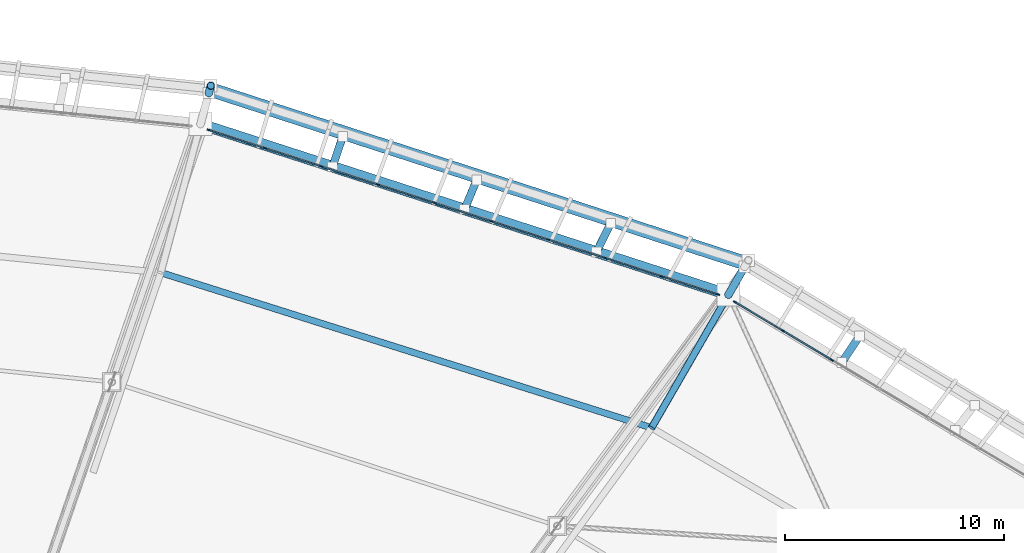
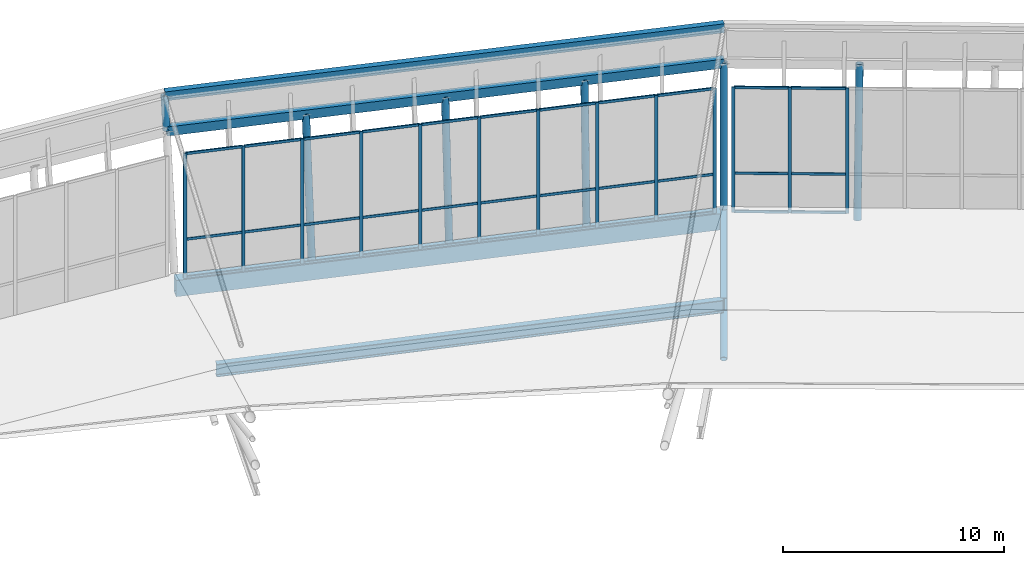
# One storey, part 76 of 115: 53 members, 5 beams, 2 elements without a shape of their own.
"""IFC4 building model written with IfcOpenShell, lengths in metres."""

from ifc_helpers import new_model, si_unit, direction, frame, origin, origin_2d, place, context, subcontext, project, spatial, rectangle, hollow_rectangle, hollow_circle, i_section, extrude, material, material_profile, profile_set, type_object, element, aggregate, save


model = new_model("IFC4")

# Units and contexts
model_context = context("Model", 3, precision=1e-05, world=origin(), true_north=direction((0.0, 1.0)))
body_context = subcontext(model_context, "Body", "Model", "MODEL_VIEW")
ifc_project = project(units=[si_unit("LENGTHUNIT", "METRE"), si_unit("AREAUNIT", "SQUARE_METRE"), si_unit("VOLUMEUNIT", "CUBIC_METRE"), si_unit("PLANEANGLEUNIT", "RADIAN"), si_unit("MASSUNIT", "GRAM", prefix="KILO")], contexts=[model_context])

# Site, building, storey
site_placement = place(None, origin())
site = spatial("IfcSite", under=ifc_project, at=site_placement, CompositionType="ELEMENT")
building_placement = place(site_placement, origin())
building = spatial("IfcBuilding", under=site, at=building_placement, Name="Zlatoyarsky Gate Stadium", CompositionType="ELEMENT")
storey_placement = place(building_placement, frame((0.0, 0.0, 31.800048828125)))
storey = spatial("IfcBuildingStorey", under=building, at=storey_placement, Name="RF", CompositionType="ELEMENT", Elevation=31.800048828125)

# Curtain wall, members
ifc_material_1 = material(Name="Thermally broken anodised aluminium curtain wall", Category="aluminium")
curtain_wall_type = type_object("IfcCurtainWallType", Name="UNITISED SKYBOX RING GLAZING L05", PredefinedType="USERDEFINED", material=ifc_material_1)
curtain_wall_1_placement = place(storey_placement, origin())
curtain_wall_1 = element("IfcCurtainWall", 1, at=curtain_wall_1_placement, inside=storey, type_object=curtain_wall_type, Name="Curtain wall CW-RF-03", ObjectType="UNITISED GLAZING", PredefinedType="USERDEFINED")
ifc_material_2 = material(Name="Anodised aluminium 6063-T6", Category="aluminium")
ifc_material_profile_1 = material_profile(ifc_material_2, rectangle(XDim=0.06494140625, YDim=0.159912109375, at=origin_2d()), Name="ALU 65X160")
ifc_profile_set_1 = profile_set([ifc_material_profile_1], Name="Anodised aluminium 6063-T6")
member_type_1 = type_object("IfcMemberType", Name="ALUMINIUM MULLION 65X160", PredefinedType="MULLION", material=ifc_profile_set_1)
member_1_placement = place(storey_placement, frame((165.731689453125, 144.587890625, 0.0), z_axis=(0.0, 0.0, 1.0), x_axis=(-0.513435995817, -0.858127891517, 0.0)))
member_1 = element("IfcMember", 2, at=member_1_placement, type_object=member_type_1, Name="CW-UG5 mullion 8", PredefinedType="MULLION", context=body_context, shape_type="SweptSolid", body=[
    extrude(rectangle(XDim=0.06494140625, YDim=0.159912109375, at=origin_2d()), origin(), (0.0, 0.0, 1.0), 6.89990234375),
])
member_2_placement = place(storey_placement, frame((163.509521484375, 145.91748046875, 0.0), z_axis=(0.0, 0.0, 1.0), x_axis=(-0.513435995817, -0.858127891517, 0.0)))
member_2 = element("IfcMember", 3, at=member_2_placement, type_object=member_type_1, Name="CW-UG5 mullion 9", PredefinedType="MULLION", context=body_context, shape_type="SweptSolid", body=[
    extrude(rectangle(XDim=0.06494140625, YDim=0.159912109375, at=origin_2d()), origin(), (0.0, 0.0, 1.0), 6.89990234375),
])
member_3_placement = place(storey_placement, frame((161.31494140625, 147.23046875, 0.0), z_axis=(0.0, 0.0, 1.0), x_axis=(-0.513435995817, -0.858127891517, 0.0)))
member_3 = element("IfcMember", 4, at=member_3_placement, type_object=member_type_1, Name="CW-UG5 mullion 10", PredefinedType="MULLION", context=body_context, shape_type="SweptSolid", body=[
    extrude(rectangle(XDim=0.06494140625, YDim=0.159912109375, at=origin_2d()), origin(), (0.0, 0.0, 1.0), 6.89990234375),
])

curtain_wall_2_placement = place(storey_placement, origin())
curtain_wall_2 = element("IfcCurtainWall", 5, at=curtain_wall_2_placement, inside=storey, type_object=curtain_wall_type, Name="Curtain wall CW-RF-04", ObjectType="UNITISED GLAZING", PredefinedType="USERDEFINED")
member_4_placement = place(storey_placement, frame((160.5322265625, 147.58544921875, 0.0), z_axis=(0.0, 0.0, 1.0), x_axis=(-0.307352182475, -0.951595836439, 0.0)))
member_4 = element("IfcMember", 6, at=member_4_placement, type_object=member_type_1, Name="CW-UG5 mullion 1", PredefinedType="MULLION", context=body_context, shape_type="SweptSolid", body=[
    extrude(rectangle(XDim=0.06494140625, YDim=0.159912109375, at=origin_2d()), origin(), (0.0, 0.0, 1.0), 6.89990234375),
])
member_5_placement = place(storey_placement, frame((157.970947265625, 148.412841796875, 0.0), z_axis=(0.0, 0.0, 1.0), x_axis=(-0.307352182475, -0.951595836439, 0.0)))
member_5 = element("IfcMember", 7, at=member_5_placement, type_object=member_type_1, Name="CW-UG5 mullion 2", PredefinedType="MULLION", context=body_context, shape_type="SweptSolid", body=[
    extrude(rectangle(XDim=0.06494140625, YDim=0.159912109375, at=origin_2d()), origin(), (0.0, 0.0, 1.0), 6.89990234375),
])
member_6_placement = place(storey_placement, frame((155.37890625, 149.25, 0.0), z_axis=(0.0, 0.0, 1.0), x_axis=(-0.307352182475, -0.951595836439, 0.0)))
member_6 = element("IfcMember", 8, at=member_6_placement, type_object=member_type_1, Name="CW-UG5 mullion 3", PredefinedType="MULLION", context=body_context, shape_type="SweptSolid", body=[
    extrude(rectangle(XDim=0.06494140625, YDim=0.159912109375, at=origin_2d()), origin(), (0.0, 0.0, 1.0), 6.89990234375),
])
member_7_placement = place(storey_placement, frame((152.78662109375, 150.087158203125, 0.0), z_axis=(0.0, 0.0, 1.0), x_axis=(-0.307352182475, -0.951595836439, 0.0)))
member_7 = element("IfcMember", 9, at=member_7_placement, type_object=member_type_1, Name="CW-UG5 mullion 4", PredefinedType="MULLION", context=body_context, shape_type="SweptSolid", body=[
    extrude(rectangle(XDim=0.06494140625, YDim=0.159912109375, at=origin_2d()), origin(), (0.0, 0.0, 1.0), 6.89990234375),
])
member_8_placement = place(storey_placement, frame((150.1943359375, 150.924560546875, 0.0), z_axis=(0.0, 0.0, 1.0), x_axis=(-0.307352182475, -0.951595836439, 0.0)))
member_8 = element("IfcMember", 10, at=member_8_placement, type_object=member_type_1, Name="CW-UG5 mullion 5", PredefinedType="MULLION", context=body_context, shape_type="SweptSolid", body=[
    extrude(rectangle(XDim=0.06494140625, YDim=0.159912109375, at=origin_2d()), origin(), (0.0, 0.0, 1.0), 6.89990234375),
])
member_9_placement = place(storey_placement, frame((147.602294921875, 151.76171875, 0.0), z_axis=(0.0, 0.0, 1.0), x_axis=(-0.307352182475, -0.951595836439, 0.0)))
member_9 = element("IfcMember", 11, at=member_9_placement, type_object=member_type_1, Name="CW-UG5 mullion 6", PredefinedType="MULLION", context=body_context, shape_type="SweptSolid", body=[
    extrude(rectangle(XDim=0.06494140625, YDim=0.159912109375, at=origin_2d()), origin(), (0.0, 0.0, 1.0), 6.89990234375),
])
member_10_placement = place(storey_placement, frame((145.010009765625, 152.598876953125, 0.0), z_axis=(0.0, 0.0, 1.0), x_axis=(-0.307352182475, -0.951595836439, 0.0)))
member_10 = element("IfcMember", 12, at=member_10_placement, type_object=member_type_1, Name="CW-UG5 mullion 7", PredefinedType="MULLION", context=body_context, shape_type="SweptSolid", body=[
    extrude(rectangle(XDim=0.06494140625, YDim=0.159912109375, at=origin_2d()), origin(), (0.0, 0.0, 1.0), 6.89990234375),
])
member_11_placement = place(storey_placement, frame((142.417724609375, 153.436279296875, 0.0), z_axis=(0.0, 0.0, 1.0), x_axis=(-0.307352182475, -0.951595836439, 0.0)))
member_11 = element("IfcMember", 13, at=member_11_placement, type_object=member_type_1, Name="CW-UG5 mullion 8", PredefinedType="MULLION", context=body_context, shape_type="SweptSolid", body=[
    extrude(rectangle(XDim=0.06494140625, YDim=0.159912109375, at=origin_2d()), origin(), (0.0, 0.0, 1.0), 6.89990234375),
])
member_12_placement = place(storey_placement, frame((139.82568359375, 154.2734375, 0.0), z_axis=(0.0, 0.0, 1.0), x_axis=(-0.307352182475, -0.951595836439, 0.0)))
member_12 = element("IfcMember", 14, at=member_12_placement, type_object=member_type_1, Name="CW-UG5 mullion 9", PredefinedType="MULLION", context=body_context, shape_type="SweptSolid", body=[
    extrude(rectangle(XDim=0.06494140625, YDim=0.159912109375, at=origin_2d()), origin(), (0.0, 0.0, 1.0), 6.89990234375),
])
member_13_placement = place(storey_placement, frame((137.264404296875, 155.100830078125, 0.0), z_axis=(0.0, 0.0, 1.0), x_axis=(-0.307352182475, -0.951595836439, 0.0)))
member_13 = element("IfcMember", 15, at=member_13_placement, type_object=member_type_1, Name="CW-UG5 mullion 10", PredefinedType="MULLION", context=body_context, shape_type="SweptSolid", body=[
    extrude(rectangle(XDim=0.06494140625, YDim=0.159912109375, at=origin_2d()), origin(), (0.0, 0.0, 1.0), 6.89990234375),
])

# Member
ifc_material_profile_2 = material_profile(ifc_material_2, rectangle(XDim=0.06494140625, YDim=0.139892578125, at=origin_2d()), Name="ALU 65X140")
ifc_profile_set_2 = profile_set([ifc_material_profile_2], Name="Anodised aluminium 6063-T6")
member_type_2 = type_object("IfcMemberType", Name="ALUMINIUM TRANSOM 65X140", PredefinedType="USERDEFINED", material=ifc_profile_set_2)
member_14_placement = place(storey_placement, frame((165.703857421875, 144.6044921875, 0.032470703125), z_axis=(-0.858106637298, 0.513471517248, 0.0), x_axis=(-0.513471517248, -0.858106637298, 0.0)))
member_14 = element("IfcMember", 16, at=member_14_placement, type_object=member_type_2, Name="CW-UG5 transom 8.1", ObjectType="TRANSOM", PredefinedType="USERDEFINED", context=body_context, shape_type="SweptSolid", body=[
    extrude(rectangle(XDim=0.06494140625, YDim=0.139892578125, at=origin_2d()), origin(), (0.0, 0.0, 1.0), 2.524658203125),
])

member_15_placement = place(storey_placement, frame((165.703857421875, 144.6044921875, 2.14990234375), z_axis=(-0.858106637298, 0.513471517248, 0.0), x_axis=(-0.513471517248, -0.858106637298, 0.0)))
member_15 = element("IfcMember", 17, at=member_15_placement, type_object=member_type_2, Name="CW-UG5 transom 8.2", ObjectType="TRANSOM", PredefinedType="USERDEFINED", context=body_context, shape_type="SweptSolid", body=[
    extrude(rectangle(XDim=0.06494140625, YDim=0.139892578125, at=origin_2d()), origin(), (0.0, 0.0, 1.0), 2.524658203125),
])

member_16_placement = place(storey_placement, frame((165.703857421875, 144.6044921875, 6.867431640625), z_axis=(-0.858106637298, 0.513471517248, 0.0), x_axis=(-0.513471517248, -0.858106637298, 0.0)))
member_16 = element("IfcMember", 18, at=member_16_placement, type_object=member_type_2, Name="CW-UG5 transom 8.3", ObjectType="TRANSOM", PredefinedType="USERDEFINED", context=body_context, shape_type="SweptSolid", body=[
    extrude(rectangle(XDim=0.06494140625, YDim=0.139892578125, at=origin_2d()), origin(), (0.0, 0.0, 1.0), 2.524658203125),
])

member_17_placement = place(storey_placement, frame((163.4814453125, 145.934326171875, 0.032470703125), z_axis=(-0.858140517971, 0.513414892087, 0.0), x_axis=(-0.513414892087, -0.858140517971, 0.0)))
member_17 = element("IfcMember", 19, at=member_17_placement, type_object=member_type_2, Name="CW-UG5 transom 9.1", ObjectType="TRANSOM", PredefinedType="USERDEFINED", context=body_context, shape_type="SweptSolid", body=[
    extrude(rectangle(XDim=0.06494140625, YDim=0.139892578125, at=origin_2d()), origin(), (0.0, 0.0, 1.0), 2.4921875),
])

member_18_placement = place(storey_placement, frame((163.4814453125, 145.934326171875, 2.14990234375), z_axis=(-0.858140517971, 0.513414892087, 0.0), x_axis=(-0.513414892087, -0.858140517971, 0.0)))
member_18 = element("IfcMember", 20, at=member_18_placement, type_object=member_type_2, Name="CW-UG5 transom 9.2", ObjectType="TRANSOM", PredefinedType="USERDEFINED", context=body_context, shape_type="SweptSolid", body=[
    extrude(rectangle(XDim=0.06494140625, YDim=0.139892578125, at=origin_2d()), origin(), (0.0, 0.0, 1.0), 2.4921875),
])

member_19_placement = place(storey_placement, frame((163.4814453125, 145.934326171875, 6.867431640625), z_axis=(-0.858140517971, 0.513414892087, 0.0), x_axis=(-0.513414892087, -0.858140517971, 0.0)))
member_19 = element("IfcMember", 21, at=member_19_placement, type_object=member_type_2, Name="CW-UG5 transom 9.3", ObjectType="TRANSOM", PredefinedType="USERDEFINED", context=body_context, shape_type="SweptSolid", body=[
    extrude(rectangle(XDim=0.06494140625, YDim=0.139892578125, at=origin_2d()), origin(), (0.0, 0.0, 1.0), 2.4921875),
])

aggregate(curtain_wall_1, [member_1, member_2, member_3, member_14, member_15, member_16, member_17, member_18, member_19])

member_20_placement = place(storey_placement, frame((160.50146484375, 147.595458984375, 0.032470703125), z_axis=(-0.951588529008, 0.307374806157, 0.0), x_axis=(-0.307374806157, -0.951588529008, 0.0)))
member_20 = element("IfcMember", 22, at=member_20_placement, type_object=member_type_2, Name="CW-UG5 transom 1.1", ObjectType="TRANSOM", PredefinedType="USERDEFINED", context=body_context, shape_type="SweptSolid", body=[
    extrude(rectangle(XDim=0.06494140625, YDim=0.139892578125, at=origin_2d()), origin(), (0.0, 0.0, 1.0), 2.626708984375),
])

member_21_placement = place(storey_placement, frame((160.50146484375, 147.595458984375, 2.14990234375), z_axis=(-0.951588529008, 0.307374806157, 0.0), x_axis=(-0.307374806157, -0.951588529008, 0.0)))
member_21 = element("IfcMember", 23, at=member_21_placement, type_object=member_type_2, Name="CW-UG5 transom 1.2", ObjectType="TRANSOM", PredefinedType="USERDEFINED", context=body_context, shape_type="SweptSolid", body=[
    extrude(rectangle(XDim=0.06494140625, YDim=0.139892578125, at=origin_2d()), origin(), (0.0, 0.0, 1.0), 2.626708984375),
])

member_22_placement = place(storey_placement, frame((160.50146484375, 147.595458984375, 6.867431640625), z_axis=(-0.951588529008, 0.307374806157, 0.0), x_axis=(-0.307374806157, -0.951588529008, 0.0)))
member_22 = element("IfcMember", 24, at=member_22_placement, type_object=member_type_2, Name="CW-UG5 transom 1.3", ObjectType="TRANSOM", PredefinedType="USERDEFINED", context=body_context, shape_type="SweptSolid", body=[
    extrude(rectangle(XDim=0.06494140625, YDim=0.139892578125, at=origin_2d()), origin(), (0.0, 0.0, 1.0), 2.626708984375),
])

member_23_placement = place(storey_placement, frame((157.940185546875, 148.4228515625, 0.032470703125), z_axis=(-0.951615985175, 0.307289792801, 0.0), x_axis=(-0.307289792801, -0.951615985175, 0.0)))
member_23 = element("IfcMember", 25, at=member_23_placement, type_object=member_type_2, Name="CW-UG5 transom 2.1", ObjectType="TRANSOM", PredefinedType="USERDEFINED", context=body_context, shape_type="SweptSolid", body=[
    extrude(rectangle(XDim=0.06494140625, YDim=0.139892578125, at=origin_2d()), origin(), (0.0, 0.0, 1.0), 2.6591796875),
])

member_24_placement = place(storey_placement, frame((157.940185546875, 148.4228515625, 2.14990234375), z_axis=(-0.951615985175, 0.307289792801, 0.0), x_axis=(-0.307289792801, -0.951615985175, 0.0)))
member_24 = element("IfcMember", 26, at=member_24_placement, type_object=member_type_2, Name="CW-UG5 transom 2.2", ObjectType="TRANSOM", PredefinedType="USERDEFINED", context=body_context, shape_type="SweptSolid", body=[
    extrude(rectangle(XDim=0.06494140625, YDim=0.139892578125, at=origin_2d()), origin(), (0.0, 0.0, 1.0), 2.6591796875),
])

member_25_placement = place(storey_placement, frame((157.940185546875, 148.4228515625, 6.867431640625), z_axis=(-0.951615985175, 0.307289792801, 0.0), x_axis=(-0.307289792801, -0.951615985175, 0.0)))
member_25 = element("IfcMember", 27, at=member_25_placement, type_object=member_type_2, Name="CW-UG5 transom 2.3", ObjectType="TRANSOM", PredefinedType="USERDEFINED", context=body_context, shape_type="SweptSolid", body=[
    extrude(rectangle(XDim=0.06494140625, YDim=0.139892578125, at=origin_2d()), origin(), (0.0, 0.0, 1.0), 2.6591796875),
])

member_26_placement = place(storey_placement, frame((155.347900390625, 149.260009765625, 0.032470703125), z_axis=(-0.951607314646, 0.307316642428, 0.0), x_axis=(-0.307316642428, -0.951607314646, 0.0)))
member_26 = element("IfcMember", 28, at=member_26_placement, type_object=member_type_2, Name="CW-UG5 transom 3.1", ObjectType="TRANSOM", PredefinedType="USERDEFINED", context=body_context, shape_type="SweptSolid", body=[
    extrude(rectangle(XDim=0.06494140625, YDim=0.139892578125, at=origin_2d()), origin(), (0.0, 0.0, 1.0), 2.658935546875),
])

member_27_placement = place(storey_placement, frame((155.347900390625, 149.260009765625, 2.14990234375), z_axis=(-0.951607314646, 0.307316642428, 0.0), x_axis=(-0.307316642428, -0.951607314646, 0.0)))
member_27 = element("IfcMember", 29, at=member_27_placement, type_object=member_type_2, Name="CW-UG5 transom 3.2", ObjectType="TRANSOM", PredefinedType="USERDEFINED", context=body_context, shape_type="SweptSolid", body=[
    extrude(rectangle(XDim=0.06494140625, YDim=0.139892578125, at=origin_2d()), origin(), (0.0, 0.0, 1.0), 2.658935546875),
])

member_28_placement = place(storey_placement, frame((155.347900390625, 149.260009765625, 6.867431640625), z_axis=(-0.951607314646, 0.307316642428, 0.0), x_axis=(-0.307316642428, -0.951607314646, 0.0)))
member_28 = element("IfcMember", 30, at=member_28_placement, type_object=member_type_2, Name="CW-UG5 transom 3.3", ObjectType="TRANSOM", PredefinedType="USERDEFINED", context=body_context, shape_type="SweptSolid", body=[
    extrude(rectangle(XDim=0.06494140625, YDim=0.139892578125, at=origin_2d()), origin(), (0.0, 0.0, 1.0), 2.658935546875),
])

member_29_placement = place(storey_placement, frame((152.755615234375, 150.09716796875, 0.032470703125), z_axis=(-0.951580459921, 0.307399785779, 0.0), x_axis=(-0.307399785779, -0.951580459921, 0.0)))
member_29 = element("IfcMember", 31, at=member_29_placement, type_object=member_type_2, Name="CW-UG5 transom 4.1", ObjectType="TRANSOM", PredefinedType="USERDEFINED", context=body_context, shape_type="SweptSolid", body=[
    extrude(rectangle(XDim=0.06494140625, YDim=0.139892578125, at=origin_2d()), origin(), (0.0, 0.0, 1.0), 2.658935546875),
])

member_30_placement = place(storey_placement, frame((152.755615234375, 150.09716796875, 2.14990234375), z_axis=(-0.951580459921, 0.307399785779, 0.0), x_axis=(-0.307399785779, -0.951580459921, 0.0)))
member_30 = element("IfcMember", 32, at=member_30_placement, type_object=member_type_2, Name="CW-UG5 transom 4.2", ObjectType="TRANSOM", PredefinedType="USERDEFINED", context=body_context, shape_type="SweptSolid", body=[
    extrude(rectangle(XDim=0.06494140625, YDim=0.139892578125, at=origin_2d()), origin(), (0.0, 0.0, 1.0), 2.658935546875),
])

member_31_placement = place(storey_placement, frame((152.755615234375, 150.09716796875, 6.867431640625), z_axis=(-0.951580459921, 0.307399785779, 0.0), x_axis=(-0.307399785779, -0.951580459921, 0.0)))
member_31 = element("IfcMember", 33, at=member_31_placement, type_object=member_type_2, Name="CW-UG5 transom 4.3", ObjectType="TRANSOM", PredefinedType="USERDEFINED", context=body_context, shape_type="SweptSolid", body=[
    extrude(rectangle(XDim=0.06494140625, YDim=0.139892578125, at=origin_2d()), origin(), (0.0, 0.0, 1.0), 2.658935546875),
])

member_32_placement = place(storey_placement, frame((150.16357421875, 150.9345703125, 0.032470703125), z_axis=(-0.951615985175, 0.307289792801, 0.0), x_axis=(-0.307289792801, -0.951615985175, 0.0)))
member_32 = element("IfcMember", 34, at=member_32_placement, type_object=member_type_2, Name="CW-UG5 transom 5.1", ObjectType="TRANSOM", PredefinedType="USERDEFINED", context=body_context, shape_type="SweptSolid", body=[
    extrude(rectangle(XDim=0.06494140625, YDim=0.139892578125, at=origin_2d()), origin(), (0.0, 0.0, 1.0), 2.6591796875),
])

member_33_placement = place(storey_placement, frame((150.16357421875, 150.9345703125, 2.14990234375), z_axis=(-0.951615985175, 0.307289792801, 0.0), x_axis=(-0.307289792801, -0.951615985175, 0.0)))
member_33 = element("IfcMember", 35, at=member_33_placement, type_object=member_type_2, Name="CW-UG5 transom 5.2", ObjectType="TRANSOM", PredefinedType="USERDEFINED", context=body_context, shape_type="SweptSolid", body=[
    extrude(rectangle(XDim=0.06494140625, YDim=0.139892578125, at=origin_2d()), origin(), (0.0, 0.0, 1.0), 2.6591796875),
])

member_34_placement = place(storey_placement, frame((150.16357421875, 150.9345703125, 6.867431640625), z_axis=(-0.951615985175, 0.307289792801, 0.0), x_axis=(-0.307289792801, -0.951615985175, 0.0)))
member_34 = element("IfcMember", 36, at=member_34_placement, type_object=member_type_2, Name="CW-UG5 transom 5.3", ObjectType="TRANSOM", PredefinedType="USERDEFINED", context=body_context, shape_type="SweptSolid", body=[
    extrude(rectangle(XDim=0.06494140625, YDim=0.139892578125, at=origin_2d()), origin(), (0.0, 0.0, 1.0), 2.6591796875),
])

member_35_placement = place(storey_placement, frame((147.5712890625, 151.771728515625, 0.032470703125), z_axis=(-0.951607314646, 0.307316642428, 0.0), x_axis=(-0.307316642428, -0.951607314646, 0.0)))
member_35 = element("IfcMember", 37, at=member_35_placement, type_object=member_type_2, Name="CW-UG5 transom 6.1", ObjectType="TRANSOM", PredefinedType="USERDEFINED", context=body_context, shape_type="SweptSolid", body=[
    extrude(rectangle(XDim=0.06494140625, YDim=0.139892578125, at=origin_2d()), origin(), (0.0, 0.0, 1.0), 2.658935546875),
])

member_36_placement = place(storey_placement, frame((147.5712890625, 151.771728515625, 2.14990234375), z_axis=(-0.951607314646, 0.307316642428, 0.0), x_axis=(-0.307316642428, -0.951607314646, 0.0)))
member_36 = element("IfcMember", 38, at=member_36_placement, type_object=member_type_2, Name="CW-UG5 transom 6.2", ObjectType="TRANSOM", PredefinedType="USERDEFINED", context=body_context, shape_type="SweptSolid", body=[
    extrude(rectangle(XDim=0.06494140625, YDim=0.139892578125, at=origin_2d()), origin(), (0.0, 0.0, 1.0), 2.658935546875),
])

member_37_placement = place(storey_placement, frame((147.5712890625, 151.771728515625, 6.867431640625), z_axis=(-0.951607314646, 0.307316642428, 0.0), x_axis=(-0.307316642428, -0.951607314646, 0.0)))
member_37 = element("IfcMember", 39, at=member_37_placement, type_object=member_type_2, Name="CW-UG5 transom 6.3", ObjectType="TRANSOM", PredefinedType="USERDEFINED", context=body_context, shape_type="SweptSolid", body=[
    extrude(rectangle(XDim=0.06494140625, YDim=0.139892578125, at=origin_2d()), origin(), (0.0, 0.0, 1.0), 2.658935546875),
])

member_38_placement = place(storey_placement, frame((144.97900390625, 152.60888671875, 0.032470703125), z_axis=(-0.951580459921, 0.307399785779, 0.0), x_axis=(-0.307399785779, -0.951580459921, 0.0)))
member_38 = element("IfcMember", 40, at=member_38_placement, type_object=member_type_2, Name="CW-UG5 transom 7.1", ObjectType="TRANSOM", PredefinedType="USERDEFINED", context=body_context, shape_type="SweptSolid", body=[
    extrude(rectangle(XDim=0.06494140625, YDim=0.139892578125, at=origin_2d()), origin(), (0.0, 0.0, 1.0), 2.658935546875),
])

member_39_placement = place(storey_placement, frame((144.97900390625, 152.60888671875, 2.14990234375), z_axis=(-0.951580459921, 0.307399785779, 0.0), x_axis=(-0.307399785779, -0.951580459921, 0.0)))
member_39 = element("IfcMember", 41, at=member_39_placement, type_object=member_type_2, Name="CW-UG5 transom 7.2", ObjectType="TRANSOM", PredefinedType="USERDEFINED", context=body_context, shape_type="SweptSolid", body=[
    extrude(rectangle(XDim=0.06494140625, YDim=0.139892578125, at=origin_2d()), origin(), (0.0, 0.0, 1.0), 2.658935546875),
])

member_40_placement = place(storey_placement, frame((144.97900390625, 152.60888671875, 6.867431640625), z_axis=(-0.951580459921, 0.307399785779, 0.0), x_axis=(-0.307399785779, -0.951580459921, 0.0)))
member_40 = element("IfcMember", 42, at=member_40_placement, type_object=member_type_2, Name="CW-UG5 transom 7.3", ObjectType="TRANSOM", PredefinedType="USERDEFINED", context=body_context, shape_type="SweptSolid", body=[
    extrude(rectangle(XDim=0.06494140625, YDim=0.139892578125, at=origin_2d()), origin(), (0.0, 0.0, 1.0), 2.658935546875),
])

member_41_placement = place(storey_placement, frame((142.386962890625, 153.4462890625, 0.032470703125), z_axis=(-0.951615985175, 0.307289792801, 0.0), x_axis=(-0.307289792801, -0.951615985175, 0.0)))
member_41 = element("IfcMember", 43, at=member_41_placement, type_object=member_type_2, Name="CW-UG5 transom 8.1", ObjectType="TRANSOM", PredefinedType="USERDEFINED", context=body_context, shape_type="SweptSolid", body=[
    extrude(rectangle(XDim=0.06494140625, YDim=0.139892578125, at=origin_2d()), origin(), (0.0, 0.0, 1.0), 2.6591796875),
])

member_42_placement = place(storey_placement, frame((142.386962890625, 153.4462890625, 2.14990234375), z_axis=(-0.951615985175, 0.307289792801, 0.0), x_axis=(-0.307289792801, -0.951615985175, 0.0)))
member_42 = element("IfcMember", 44, at=member_42_placement, type_object=member_type_2, Name="CW-UG5 transom 8.2", ObjectType="TRANSOM", PredefinedType="USERDEFINED", context=body_context, shape_type="SweptSolid", body=[
    extrude(rectangle(XDim=0.06494140625, YDim=0.139892578125, at=origin_2d()), origin(), (0.0, 0.0, 1.0), 2.6591796875),
])

member_43_placement = place(storey_placement, frame((142.386962890625, 153.4462890625, 6.867431640625), z_axis=(-0.951615985175, 0.307289792801, 0.0), x_axis=(-0.307289792801, -0.951615985175, 0.0)))
member_43 = element("IfcMember", 45, at=member_43_placement, type_object=member_type_2, Name="CW-UG5 transom 8.3", ObjectType="TRANSOM", PredefinedType="USERDEFINED", context=body_context, shape_type="SweptSolid", body=[
    extrude(rectangle(XDim=0.06494140625, YDim=0.139892578125, at=origin_2d()), origin(), (0.0, 0.0, 1.0), 2.6591796875),
])

member_44_placement = place(storey_placement, frame((139.794677734375, 154.283447265625, 0.032470703125), z_axis=(-0.951588529008, 0.307374806157, 0.0), x_axis=(-0.307374806157, -0.951588529008, 0.0)))
member_44 = element("IfcMember", 46, at=member_44_placement, type_object=member_type_2, Name="CW-UG5 transom 9.1", ObjectType="TRANSOM", PredefinedType="USERDEFINED", context=body_context, shape_type="SweptSolid", body=[
    extrude(rectangle(XDim=0.06494140625, YDim=0.139892578125, at=origin_2d()), origin(), (0.0, 0.0, 1.0), 2.626708984375),
])

member_45_placement = place(storey_placement, frame((139.794677734375, 154.283447265625, 2.14990234375), z_axis=(-0.951588529008, 0.307374806157, 0.0), x_axis=(-0.307374806157, -0.951588529008, 0.0)))
member_45 = element("IfcMember", 47, at=member_45_placement, type_object=member_type_2, Name="CW-UG5 transom 9.2", ObjectType="TRANSOM", PredefinedType="USERDEFINED", context=body_context, shape_type="SweptSolid", body=[
    extrude(rectangle(XDim=0.06494140625, YDim=0.139892578125, at=origin_2d()), origin(), (0.0, 0.0, 1.0), 2.626708984375),
])

member_46_placement = place(storey_placement, frame((139.794677734375, 154.283447265625, 6.867431640625), z_axis=(-0.951588529008, 0.307374806157, 0.0), x_axis=(-0.307374806157, -0.951588529008, 0.0)))
member_46 = element("IfcMember", 48, at=member_46_placement, type_object=member_type_2, Name="CW-UG5 transom 9.3", ObjectType="TRANSOM", PredefinedType="USERDEFINED", context=body_context, shape_type="SweptSolid", body=[
    extrude(rectangle(XDim=0.06494140625, YDim=0.139892578125, at=origin_2d()), origin(), (0.0, 0.0, 1.0), 2.626708984375),
])

aggregate(curtain_wall_2, [member_4, member_5, member_6, member_7, member_8, member_9, member_10, member_11, member_12, member_13, member_20, member_21, member_22, member_23, member_24, member_25, member_26, member_27, member_28, member_29, member_30, member_31, member_32, member_33, member_34, member_35, member_36, member_37, member_38, member_39, member_40, member_41, member_42, member_43, member_44, member_45, member_46])

# Members
ifc_material_3 = material(Name="Steel S355", Category="steel")
ifc_material_profile_3 = material_profile(ifc_material_3, hollow_circle(Radius=0.177734375, WallThickness=0.02001953125, at=origin_2d()), Name="CHS 355.6X20")
ifc_profile_set_3 = profile_set([ifc_material_profile_3], Name="Steel S355")
member_type_3 = type_object("IfcMemberType", Name="STEEL LEANING RIB RING STRUT CHS 355.6X20", PredefinedType="STRUT", material=ifc_profile_set_3)
member_47_placement = place(storey_placement, frame((166.19287109375, 144.473876953125, -0.449951171875), z_axis=(0.104647731087, 0.156703430904, 0.982085987641), x_axis=(-0.831612147904, 0.555356854157, 0.0)))
element("IfcMember", 49, at=member_47_placement, inside=storey, type_object=member_type_3, Name="Outward-leaning bowl louvre fin rib RF 03-3", PredefinedType="STRUT", context=body_context, shape_type="SweptSolid", body=[
    extrude(hollow_circle(Radius=0.177734375, WallThickness=0.02001953125, at=origin_2d()), origin(), (0.0, 0.0, 1.0), 7.738525390625),
])
member_48_placement = place(storey_placement, frame((161.013916015625, 147.573974609375, -0.449951171875), z_axis=(0.094814086524, 0.164205633547, 0.98185884877), x_axis=(-0.86600274944, 0.500039236423, 0.0)))
element("IfcMember", 50, at=member_48_placement, inside=storey, type_object=member_type_3, Name="Outward-leaning crown fascia lower post 04", PredefinedType="STRUT", context=body_context, shape_type="SweptSolid", body=[
    extrude(hollow_circle(Radius=0.177734375, WallThickness=0.02001953125, at=origin_2d()), origin(), (0.0, 0.0, 1.0), 7.740234375),
])
member_49_placement = place(storey_placement, frame((154.982666015625, 149.522705078125, -0.449951171875), z_axis=(0.08338382424, 0.16897607364, 0.982086668473), x_axis=(-0.896758934968, 0.442519392293, 0.0)))
element("IfcMember", 51, at=member_49_placement, inside=storey, type_object=member_type_3, Name="Outward-leaning bowl louvre fin rib RF 04-1", PredefinedType="STRUT", context=body_context, shape_type="SweptSolid", body=[
    extrude(hollow_circle(Radius=0.177734375, WallThickness=0.02001953125, at=origin_2d()), origin(), (0.0, 0.0, 1.0), 7.738525390625),
])
member_50_placement = place(storey_placement, frame((148.951416015625, 151.471435546875, -0.449951171875), z_axis=(0.071968598129, 0.173721657737, 0.982161548075), x_axis=(-0.923859353885, 0.382732144245, 0.0)))
element("IfcMember", 52, at=member_50_placement, inside=storey, type_object=member_type_3, Name="Outward-leaning bowl louvre fin rib RF 04-2", PredefinedType="STRUT", context=body_context, shape_type="SweptSolid", body=[
    extrude(hollow_circle(Radius=0.177734375, WallThickness=0.02001953125, at=origin_2d()), origin(), (0.0, 0.0, 1.0), 7.73779296875),
])
member_51_placement = place(storey_placement, frame((142.920166015625, 153.420166015625, -0.449951171875), z_axis=(0.060542035994, 0.178471233777, 0.982080791275), x_axis=(-0.946995980131, 0.321245410265, 0.0)))
element("IfcMember", 53, at=member_51_placement, inside=storey, type_object=member_type_3, Name="Outward-leaning bowl louvre fin rib RF 04-3", PredefinedType="STRUT", context=body_context, shape_type="SweptSolid", body=[
    extrude(hollow_circle(Radius=0.177734375, WallThickness=0.02001953125, at=origin_2d()), origin(), (0.0, 0.0, 1.0), 7.738525390625),
])
member_52_placement = place(storey_placement, frame((137.268798828125, 156.78662109375, 7.14990234375), z_axis=(0.052053505922, 0.194145508575, 0.979590707398), x_axis=(-0.965885549343, 0.258969313954, 0.0)))
element("IfcMember", 54, at=member_52_placement, inside=storey, type_object=member_type_3, Name="Outward-leaning crown fascia upper post 05", PredefinedType="STRUT", context=body_context, shape_type="SweptSolid", body=[
    extrude(hollow_circle(Radius=0.177734375, WallThickness=0.02001953125, at=origin_2d()), origin(), (0.0, 0.0, 1.0), 1.7353515625),
])

# Beams
ifc_material_profile_4 = material_profile(ifc_material_3, hollow_rectangle(XDim=0.300048828125, YDim=0.5, WallThickness=0.02001953125, at=origin_2d()), Name="RHS 500X300X20")
ifc_profile_set_4 = profile_set([ifc_material_profile_4], Name="Steel S355")
beam_type_1 = type_object("IfcBeamType", Name="STEEL LOUVRE CARRIER SPANDREL RHS 500X300X20", PredefinedType="SPANDREL", material=ifc_profile_set_4)
beam_1_placement = place(storey_placement, frame((161.747802734375, 148.844970703125, 7.14990234375), z_axis=(-0.951194147807, 0.30859308673, 0.0), x_axis=(-0.30859308673, -0.951194147807, 0.0)))
element("IfcBeam", 55, at=beam_1_placement, inside=storey, type_object=beam_type_1, Name="Crown eaves fascia bottom carrier spandrel 04", PredefinedType="SPANDREL", context=body_context, shape_type="SweptSolid", body=[
    extrude(hollow_rectangle(XDim=0.300048828125, YDim=0.5, WallThickness=0.02001953125, at=origin_2d()), origin(), (0.0, 0.0, 1.0), 25.735107421875),
])
beam_2_placement = place(storey_placement, frame((161.922119140625, 149.147216796875, 8.849853515625), z_axis=(-0.951109763834, 0.308853067232, 0.0), x_axis=(-0.308853067232, -0.951109763834, 0.0)))
element("IfcBeam", 56, at=beam_2_placement, inside=storey, type_object=beam_type_1, Name="Crown fascia top carrier spandrel 04", PredefinedType="SPANDREL", context=body_context, shape_type="SweptSolid", body=[
    extrude(hollow_rectangle(XDim=0.300048828125, YDim=0.5, WallThickness=0.02001953125, at=origin_2d()), origin(), (0.0, 0.0, 1.0), 25.82568359375),
])
ifc_material_profile_5 = material_profile(ifc_material_3, hollow_rectangle(XDim=0.5, YDim=0.89990234375, WallThickness=0.028076171875, at=origin_2d()), Name="RHS 900X500X28")
ifc_profile_set_5 = profile_set([ifc_material_profile_5], Name="Steel S355")
beam_type_2 = type_object("IfcBeamType", Name="STEEL OUTER COMPRESSION RING BEAM RHS 900X500X28", PredefinedType="USERDEFINED", material=ifc_profile_set_5)
beam_3_placement = place(storey_placement, frame((161.013916015625, 147.573974609375, -0.449951171875), z_axis=(-0.951561657785, 0.307457983199, 0.0), x_axis=(-0.307457983199, -0.951561657785, 0.0)))
element("IfcBeam", 57, at=beam_3_placement, inside=storey, type_object=beam_type_2, Name="Outer compression ring beam 04", ObjectType="RING BEAM", PredefinedType="USERDEFINED", context=body_context, shape_type="SweptSolid", body=[
    extrude(hollow_rectangle(XDim=0.5, YDim=0.89990234375, WallThickness=0.028076171875, at=origin_2d()), origin(), (0.0, 0.0, 1.0), 25.352783203125),
])
ifc_material_profile_6 = material_profile(ifc_material_3, i_section(OverallWidth=0.300048828125, OverallDepth=0.699951171875, WebThickness=0.01708984375, FlangeThickness=0.031982421875, FilletRadius=0.027099609375, at=origin_2d()), Name="HEB 700")
ifc_profile_set_6 = profile_set([ifc_material_profile_6], Name="Steel S355")
beam_type_3 = type_object("IfcBeamType", Name="STEEL ROOF RING GIRDER HEB 700", PredefinedType="BEAM", material=ifc_profile_set_6)
beam_4_placement = place(storey_placement, frame((157.52001953125, 141.5224609375, -0.300048828125), z_axis=(0.50000573544, 0.866022092401, 0.0), x_axis=(-0.866022092401, 0.50000573544, 0.0)))
element("IfcBeam", 58, at=beam_4_placement, inside=storey, type_object=beam_type_3, Name="RF roof tie girder BM-RF-COUT-04", PredefinedType="BEAM", context=body_context, shape_type="SweptSolid", body=[
    extrude(i_section(OverallWidth=0.300048828125, OverallDepth=0.699951171875, WebThickness=0.01708984375, FlangeThickness=0.031982421875, FilletRadius=0.027099609375, at=origin_2d()), origin(), (0.0, 0.0, 1.0), 6.98779296875),
])
beam_5_placement = place(storey_placement, frame((157.4619140625, 141.5, -0.300048828125), z_axis=(-0.953465026843, 0.301503636109, 0.0), x_axis=(-0.301503636109, -0.953465026843, 0.0)))
element("IfcBeam", 59, at=beam_5_placement, inside=storey, type_object=beam_type_3, Name="RF roof tie girder BM-RF-CRC-04", PredefinedType="BEAM", context=body_context, shape_type="SweptSolid", body=[
    extrude(i_section(OverallWidth=0.300048828125, OverallDepth=0.699951171875, WebThickness=0.01708984375, FlangeThickness=0.031982421875, FilletRadius=0.027099609375, at=origin_2d()), origin(), (0.0, 0.0, 1.0), 23.444580078125),
])

# Member
ifc_material_profile_7 = material_profile(ifc_material_3, hollow_circle(Radius=0.161865234375, WallThickness=0.01611328125, at=origin_2d()), Name="CHS 323.9X16")
ifc_profile_set_7 = profile_set([ifc_material_profile_7], Name="Steel S355")
member_type_4 = type_object("IfcMemberType", Name="STEEL TRUSS WEB STRUT CHS 323.9X16", PredefinedType="STRUT", material=ifc_profile_set_7)
member_53_placement = place(storey_placement, frame((157.5, 141.48779296875, -3.300048828125), z_axis=(0.463352088662, 0.802536248055, 0.37581965421), x_axis=(-0.866021866641, 0.500006126462, 0.0)))
element("IfcMember", 60, at=member_53_placement, inside=storey, type_object=member_type_4, Name="Arch heel prop 04", PredefinedType="STRUT", context=body_context, shape_type="SweptSolid", body=[
    extrude(hollow_circle(Radius=0.161865234375, WallThickness=0.01611328125, at=origin_2d()), origin(), (0.0, 0.0, 1.0), 7.583740234375),
])

save(model, "model.ifc")
